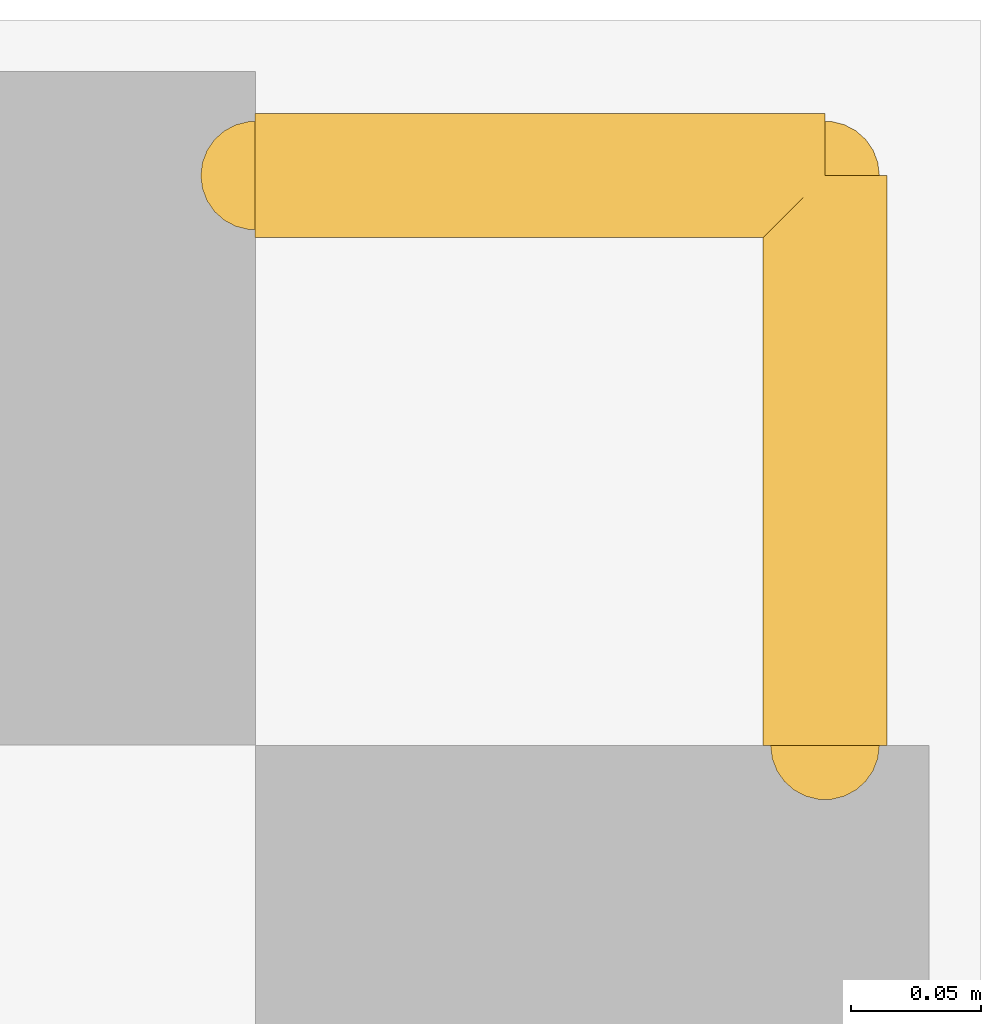
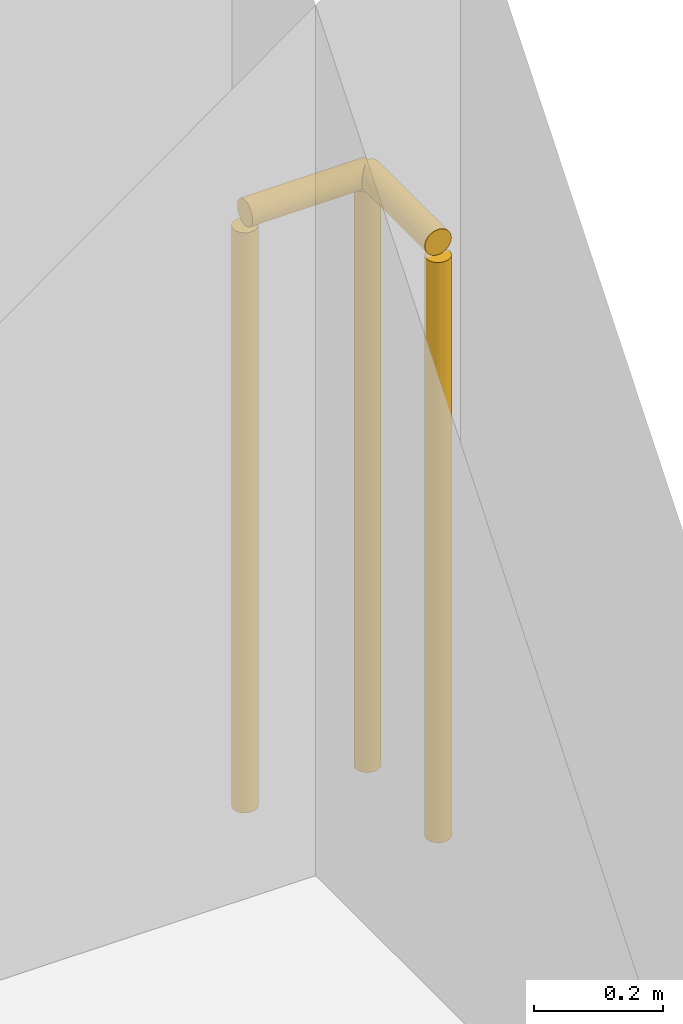
# One storey, part 20 of 20: 1 railing.
"""IFC4 building model written with IfcOpenShell, lengths in metres."""

from ifc_helpers import new_model, si_unit, direction, frame, origin, origin_2d, place, context, subcontext, project, spatial, circle, extrude, material, type_object, element, save


model = new_model("IFC4")

# Units and contexts
model_context = context("Model", 3, precision=1e-05, world=origin(), true_north=direction((0.0, 1.0)))
body_context = subcontext(model_context, "Body", "Model", "MODEL_VIEW")
ifc_project = project(units=[si_unit("LENGTHUNIT", "METRE"), si_unit("AREAUNIT", "SQUARE_METRE"), si_unit("VOLUMEUNIT", "CUBIC_METRE"), si_unit("PLANEANGLEUNIT", "RADIAN"), si_unit("MASSUNIT", "GRAM", prefix="KILO")], contexts=[model_context])

# Site, building, storey
site_placement = place(None, origin())
site = spatial("IfcSite", under=ifc_project, at=site_placement, CompositionType="ELEMENT")
building_placement = place(site_placement, origin())
building = spatial("IfcBuilding", under=site, at=building_placement, Name="Solvane Sanctuary Tower", CompositionType="ELEMENT")
storey_placement = place(building_placement, frame((0.0, 0.0, 9.199951171875)))
storey = spatial("IfcBuildingStorey", under=building, at=storey_placement, Name="L03", CompositionType="ELEMENT", Elevation=9.199951171875)

# Railing
ifc_material = material(Name="Architectural Stainless Steel 316", Category="steel")
railing_type = type_object("IfcRailingType", Name="Railing GR-BALC-1150", PredefinedType="BALUSTRADE", material=ifc_material)
railing_placement = place(storey_placement, frame((63.719970703125, 45.93994140625, 0.0)))
element("IfcRailing", 1, at=railing_placement, inside=storey, type_object=railing_type, Name="L03 Perimeter Slab Edge Guardrail 03", PredefinedType="BALUSTRADE", context=body_context, shape_type="SweptSolid", body=[
    extrude(circle(Radius=0.02392578125, at=origin_2d()), frame((0.0, 0.0, 1.1259765625), z_axis=(1.0, 0.0, 0.0), x_axis=(0.0, 1.0, 0.0)), (0.0, 0.0, 1.0), 0.219970703125),
    extrude(circle(Radius=0.02392578125, at=origin_2d()), frame((0.219970703125, 0.0, 1.1259765625), z_axis=(0.0, -1.0, 0.0), x_axis=(1.0, 0.0, 0.0)), (0.0, 0.0, 1.0), 0.219970703125),
    extrude(circle(Radius=0.02099609375, at=origin_2d()), origin(), (0.0, 0.0, 1.0), 1.101806640625),
    extrude(circle(Radius=0.02099609375, at=origin_2d()), frame((0.219970703125, 0.0, 0.0)), (0.0, 0.0, 1.0), 1.101806640625),
    extrude(circle(Radius=0.02099609375, at=origin_2d()), frame((0.219970703125, -0.219970703125, 0.0)), (0.0, 0.0, 1.0), 1.101806640625),
])

save(model, "model.ifc")
